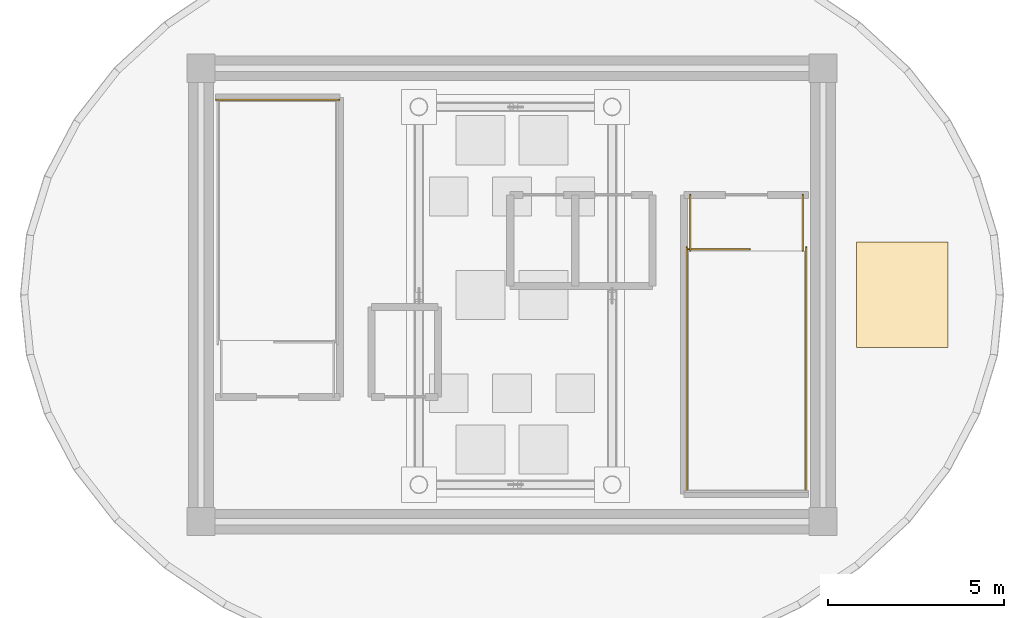
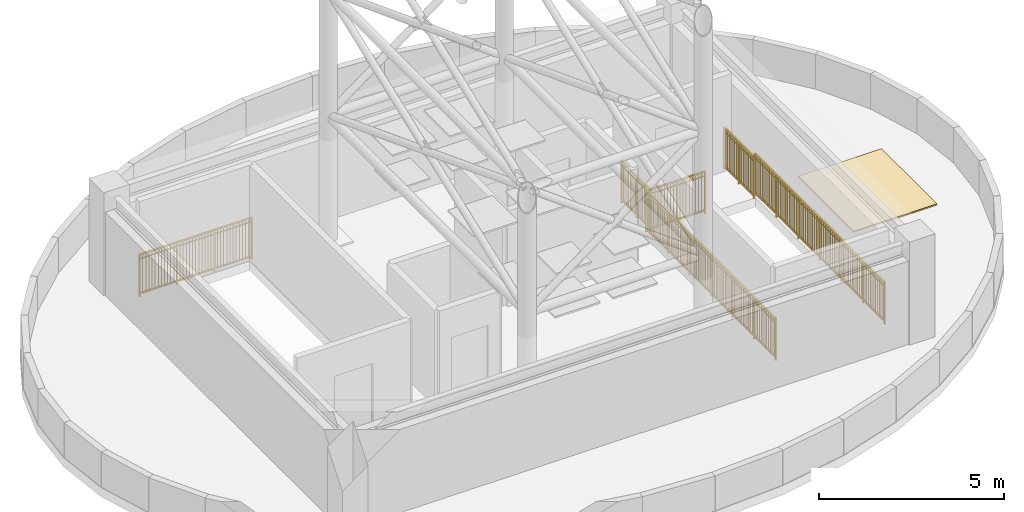
# One storey, part 6 of 6: 6 railings, 1 covering.
"""IFC4 building model written with IfcOpenShell, lengths in metres."""

from ifc_helpers import new_model, si_unit, direction, frame, origin, origin_2d, place, context, subcontext, project, spatial, polyline, rectangle, outline, extrude, source, transform, mapped, material, layer, layer_set, type_object, element, save


model = new_model("IFC4")

# Units and contexts
model_context = context("Model", 3, precision=1e-05, world=origin(), true_north=direction((0.0, 1.0)))
body_context = subcontext(model_context, "Body", "Model", "MODEL_VIEW")
ifc_project = project(units=[si_unit("LENGTHUNIT", "METRE"), si_unit("AREAUNIT", "SQUARE_METRE"), si_unit("VOLUMEUNIT", "CUBIC_METRE"), si_unit("PLANEANGLEUNIT", "RADIAN"), si_unit("MASSUNIT", "GRAM", prefix="KILO")], contexts=[model_context])

# Site, building, storey
site_placement = place(None, origin())
site = spatial("IfcSite", under=ifc_project, at=site_placement, CompositionType="ELEMENT")
building_placement = place(site_placement, origin())
building = spatial("IfcBuilding", under=site, at=building_placement, Name="Linh Dai School and Residence Tower", CompositionType="ELEMENT")
storey_placement = place(building_placement, frame((0.0, 0.0, 373.199951171875)))
storey = spatial("IfcBuildingStorey", under=building, at=storey_placement, Name="RF", CompositionType="ELEMENT", Elevation=373.199951171875)

# Covering
ifc_material_1 = material(Name="TPO Insulated Waterproofing Roof Membrane", Category="masonry")
ifc_layer = layer(ifc_material_1, 0.044921875)
ifc_layer_set = layer_set([ifc_layer], Name="TPO Insulated Waterproofing Roof Membrane")
covering_type = type_object("IfcCoveringType", Name="COV-ROOF-MEM-45", PredefinedType="ROOFING", material=ifc_layer_set)
covering_placement = place(storey_placement, origin())
element("IfcCovering", 1, at=covering_placement, inside=storey, type_object=covering_type, Name="RF Waterproofing Roof Membrane Zone", PredefinedType="ROOFING", context=body_context, shape_type="SweptSolid", body=[
    extrude(outline(polyline([(45.800048828125, 25.5), (48.39990234375, 25.5), (48.39990234375, 28.5), (45.800048828125, 28.5), (45.800048828125, 25.5)])), origin(), (0.0, 0.0, 1.0), 0.045166015625),
])

# Railings
ifc_material_2 = material(Name="Structural Steel S355JR", Category="steel")
railing_type = type_object("IfcRailingType", Name="RL-ST-GUARD-1400", PredefinedType="GUARDRAIL", material=ifc_material_2)
shared_shape_1 = source(origin(), body_context, "Body", "SweptSolid", [
    extrude(rectangle(XDim=0.048095703125, YDim=0.048095703125, at=origin_2d()), frame((0.0, 0.0, 1.3759765625), z_axis=(-1.0, 0.0, 0.0), x_axis=(0.0, -1.0, 0.0)), (0.0, 0.0, 1.0), 3.5),
    extrude(rectangle(XDim=0.048095703125, YDim=0.048095703125, at=origin_2d()), frame((0.0, 0.0, 0.10009765625), z_axis=(-1.0, 0.0, 0.0), x_axis=(0.0, -1.0, 0.0)), (0.0, 0.0, 1.0), 3.5),
    extrude(rectangle(XDim=0.030029296875, YDim=0.030029296875, at=origin_2d()), frame((0.0, 0.0, 1.239990234375), z_axis=(-1.0, 0.0, 0.0), x_axis=(0.0, -1.0, 0.0)), (0.0, 0.0, 1.0), 3.5),
    extrude(rectangle(XDim=0.02001953125, YDim=0.02001953125, at=origin_2d()), frame((-0.09716796875, 0.0, 0.10009765625)), (0.0, 0.0, 1.0), 1.251708984375),
    extrude(rectangle(XDim=0.02001953125, YDim=0.02001953125, at=origin_2d()), frame((-0.1943359375, 0.0, 0.10009765625)), (0.0, 0.0, 1.0), 1.251708984375),
    extrude(rectangle(XDim=0.02001953125, YDim=0.02001953125, at=origin_2d()), frame((-0.291748046875, 0.0, 0.10009765625)), (0.0, 0.0, 1.0), 1.251708984375),
    extrude(rectangle(XDim=0.02001953125, YDim=0.02001953125, at=origin_2d()), frame((-0.388916015625, 0.0, 0.10009765625)), (0.0, 0.0, 1.0), 1.251708984375),
    extrude(rectangle(XDim=0.02001953125, YDim=0.02001953125, at=origin_2d()), frame((-0.486083984375, 0.0, 0.10009765625)), (0.0, 0.0, 1.0), 1.251708984375),
    extrude(rectangle(XDim=0.02001953125, YDim=0.02001953125, at=origin_2d()), frame((-0.583251953125, 0.0, 0.10009765625)), (0.0, 0.0, 1.0), 1.251708984375),
    extrude(rectangle(XDim=0.02001953125, YDim=0.02001953125, at=origin_2d()), frame((-0.6806640625, 0.0, 0.10009765625)), (0.0, 0.0, 1.0), 1.251708984375),
    extrude(rectangle(XDim=0.02001953125, YDim=0.02001953125, at=origin_2d()), frame((-0.77783203125, 0.0, 0.10009765625)), (0.0, 0.0, 1.0), 1.251708984375),
    extrude(rectangle(XDim=0.02001953125, YDim=0.02001953125, at=origin_2d()), frame((-0.875, 0.0, 0.10009765625)), (0.0, 0.0, 1.0), 1.251708984375),
    extrude(rectangle(XDim=0.02001953125, YDim=0.02001953125, at=origin_2d()), frame((-0.97216796875, 0.0, 0.10009765625)), (0.0, 0.0, 1.0), 1.251708984375),
    extrude(rectangle(XDim=0.02001953125, YDim=0.02001953125, at=origin_2d()), frame((-1.0693359375, 0.0, 0.10009765625)), (0.0, 0.0, 1.0), 1.251708984375),
    extrude(rectangle(XDim=0.02001953125, YDim=0.02001953125, at=origin_2d()), frame((-1.263916015625, 0.0, 0.10009765625)), (0.0, 0.0, 1.0), 1.251708984375),
    extrude(rectangle(XDim=0.02001953125, YDim=0.02001953125, at=origin_2d()), frame((-1.361083984375, 0.0, 0.10009765625)), (0.0, 0.0, 1.0), 1.251708984375),
    extrude(rectangle(XDim=0.02001953125, YDim=0.02001953125, at=origin_2d()), frame((-1.458251953125, 0.0, 0.10009765625)), (0.0, 0.0, 1.0), 1.251708984375),
    extrude(rectangle(XDim=0.02001953125, YDim=0.02001953125, at=origin_2d()), frame((-1.5556640625, 0.0, 0.10009765625)), (0.0, 0.0, 1.0), 1.251708984375),
    extrude(rectangle(XDim=0.02001953125, YDim=0.02001953125, at=origin_2d()), frame((-1.65283203125, 0.0, 0.10009765625)), (0.0, 0.0, 1.0), 1.251708984375),
    extrude(rectangle(XDim=0.02001953125, YDim=0.02001953125, at=origin_2d()), frame((-1.75, 0.0, 0.10009765625)), (0.0, 0.0, 1.0), 1.251708984375),
    extrude(rectangle(XDim=0.02001953125, YDim=0.02001953125, at=origin_2d()), frame((-1.84716796875, 0.0, 0.10009765625)), (0.0, 0.0, 1.0), 1.251708984375),
    extrude(rectangle(XDim=0.02001953125, YDim=0.02001953125, at=origin_2d()), frame((-1.9443359375, 0.0, 0.10009765625)), (0.0, 0.0, 1.0), 1.251708984375),
    extrude(rectangle(XDim=0.02001953125, YDim=0.02001953125, at=origin_2d()), frame((-2.041748046875, 0.0, 0.10009765625)), (0.0, 0.0, 1.0), 1.251708984375),
    extrude(rectangle(XDim=0.02001953125, YDim=0.02001953125, at=origin_2d()), frame((-2.138916015625, 0.0, 0.10009765625)), (0.0, 0.0, 1.0), 1.251708984375),
    extrude(rectangle(XDim=0.02001953125, YDim=0.02001953125, at=origin_2d()), frame((-2.236083984375, 0.0, 0.10009765625)), (0.0, 0.0, 1.0), 1.251708984375),
    extrude(rectangle(XDim=0.02001953125, YDim=0.02001953125, at=origin_2d()), frame((-2.4306640625, 0.0, 0.10009765625)), (0.0, 0.0, 1.0), 1.251708984375),
    extrude(rectangle(XDim=0.02001953125, YDim=0.02001953125, at=origin_2d()), frame((-2.52783203125, 0.0, 0.10009765625)), (0.0, 0.0, 1.0), 1.251708984375),
    extrude(rectangle(XDim=0.02001953125, YDim=0.02001953125, at=origin_2d()), frame((-2.625, 0.0, 0.10009765625)), (0.0, 0.0, 1.0), 1.251708984375),
    extrude(rectangle(XDim=0.02001953125, YDim=0.02001953125, at=origin_2d()), frame((-2.72216796875, 0.0, 0.10009765625)), (0.0, 0.0, 1.0), 1.251708984375),
    extrude(rectangle(XDim=0.02001953125, YDim=0.02001953125, at=origin_2d()), frame((-2.8193359375, 0.0, 0.10009765625)), (0.0, 0.0, 1.0), 1.251708984375),
    extrude(rectangle(XDim=0.02001953125, YDim=0.02001953125, at=origin_2d()), frame((-2.916748046875, 0.0, 0.10009765625)), (0.0, 0.0, 1.0), 1.251708984375),
    extrude(rectangle(XDim=0.02001953125, YDim=0.02001953125, at=origin_2d()), frame((-3.013916015625, 0.0, 0.10009765625)), (0.0, 0.0, 1.0), 1.251708984375),
    extrude(rectangle(XDim=0.02001953125, YDim=0.02001953125, at=origin_2d()), frame((-3.111083984375, 0.0, 0.10009765625)), (0.0, 0.0, 1.0), 1.251708984375),
    extrude(rectangle(XDim=0.02001953125, YDim=0.02001953125, at=origin_2d()), frame((-3.208251953125, 0.0, 0.10009765625)), (0.0, 0.0, 1.0), 1.251708984375),
    extrude(rectangle(XDim=0.02001953125, YDim=0.02001953125, at=origin_2d()), frame((-3.3056640625, 0.0, 0.10009765625)), (0.0, 0.0, 1.0), 1.251708984375),
    extrude(rectangle(XDim=0.02001953125, YDim=0.02001953125, at=origin_2d()), frame((-3.40283203125, 0.0, 0.10009765625)), (0.0, 0.0, 1.0), 1.251708984375),
    extrude(rectangle(XDim=0.0419921875, YDim=0.0419921875, at=origin_2d()), origin(), (0.0, 0.0, 1.0), 1.3759765625),
    extrude(rectangle(XDim=0.0419921875, YDim=0.0419921875, at=origin_2d()), frame((-1.166748046875, 0.0, 0.0)), (0.0, 0.0, 1.0), 1.3759765625),
    extrude(rectangle(XDim=0.0419921875, YDim=0.0419921875, at=origin_2d()), frame((-2.333251953125, 0.0, 0.0)), (0.0, 0.0, 1.0), 1.3759765625),
    extrude(rectangle(XDim=0.0419921875, YDim=0.0419921875, at=origin_2d()), frame((-3.5, 0.0, 0.0)), (0.0, 0.0, 1.0), 1.3759765625),
])
railing_1_placement = place(storey_placement, frame((31.080078125, 32.550048828125, 0.0)))
element("IfcRailing", 2, at=railing_1_placement, inside=storey, type_object=railing_type, Name="RF ST1 top well guard 4", PredefinedType="GUARDRAIL", context=body_context, shape_type="MappedRepresentation", body=[
    mapped(shared_shape_1, transform((0.0, 0.0, 0.0), x_axis=(1.0, 0.0, 0.0), y_axis=(0.0, 1.0, 0.0), z_axis=(0.0, 0.0, 1.0), scale=1.0)),
])
shared_shape_2 = source(origin(), body_context, "Body", "SweptSolid", [
    extrude(rectangle(XDim=0.048095703125, YDim=0.048095703125, at=origin_2d()), frame((0.0, 0.0, 1.3759765625), z_axis=(0.0, -1.0, 0.0), x_axis=(1.0, 0.0, 0.0)), (0.0, 0.0, 1.0), 1.60009765625),
    extrude(rectangle(XDim=0.048095703125, YDim=0.048095703125, at=origin_2d()), frame((0.0, 0.0, 0.10009765625), z_axis=(0.0, -1.0, 0.0), x_axis=(1.0, 0.0, 0.0)), (0.0, 0.0, 1.0), 1.60009765625),
    extrude(rectangle(XDim=0.030029296875, YDim=0.030029296875, at=origin_2d()), frame((0.0, 0.0, 1.239990234375), z_axis=(0.0, -1.0, 0.0), x_axis=(1.0, 0.0, 0.0)), (0.0, 0.0, 1.0), 1.60009765625),
    extrude(rectangle(XDim=0.02001953125, YDim=0.02001953125, at=origin_2d()), frame((0.0, -0.09423828125, 0.10009765625)), (0.0, 0.0, 1.0), 1.251708984375),
    extrude(rectangle(XDim=0.02001953125, YDim=0.02001953125, at=origin_2d()), frame((0.0, -0.188232421875, 0.10009765625)), (0.0, 0.0, 1.0), 1.251708984375),
    extrude(rectangle(XDim=0.02001953125, YDim=0.02001953125, at=origin_2d()), frame((0.0, -0.282470703125, 0.10009765625)), (0.0, 0.0, 1.0), 1.251708984375),
    extrude(rectangle(XDim=0.02001953125, YDim=0.02001953125, at=origin_2d()), frame((0.0, -0.37646484375, 0.10009765625)), (0.0, 0.0, 1.0), 1.251708984375),
    extrude(rectangle(XDim=0.02001953125, YDim=0.02001953125, at=origin_2d()), frame((0.0, -0.470703125, 0.10009765625)), (0.0, 0.0, 1.0), 1.251708984375),
    extrude(rectangle(XDim=0.02001953125, YDim=0.02001953125, at=origin_2d()), frame((0.0, -0.564697265625, 0.10009765625)), (0.0, 0.0, 1.0), 1.251708984375),
    extrude(rectangle(XDim=0.02001953125, YDim=0.02001953125, at=origin_2d()), frame((0.0, -0.658935546875, 0.10009765625)), (0.0, 0.0, 1.0), 1.251708984375),
    extrude(rectangle(XDim=0.02001953125, YDim=0.02001953125, at=origin_2d()), frame((0.0, -0.7529296875, 0.10009765625)), (0.0, 0.0, 1.0), 1.251708984375),
    extrude(rectangle(XDim=0.02001953125, YDim=0.02001953125, at=origin_2d()), frame((0.0, -0.84716796875, 0.10009765625)), (0.0, 0.0, 1.0), 1.251708984375),
    extrude(rectangle(XDim=0.02001953125, YDim=0.02001953125, at=origin_2d()), frame((0.0, -0.941162109375, 0.10009765625)), (0.0, 0.0, 1.0), 1.251708984375),
    extrude(rectangle(XDim=0.02001953125, YDim=0.02001953125, at=origin_2d()), frame((0.0, -1.035400390625, 0.10009765625)), (0.0, 0.0, 1.0), 1.251708984375),
    extrude(rectangle(XDim=0.02001953125, YDim=0.02001953125, at=origin_2d()), frame((0.0, -1.12939453125, 0.10009765625)), (0.0, 0.0, 1.0), 1.251708984375),
    extrude(rectangle(XDim=0.02001953125, YDim=0.02001953125, at=origin_2d()), frame((0.0, -1.2236328125, 0.10009765625)), (0.0, 0.0, 1.0), 1.251708984375),
    extrude(rectangle(XDim=0.02001953125, YDim=0.02001953125, at=origin_2d()), frame((0.0, -1.317626953125, 0.10009765625)), (0.0, 0.0, 1.0), 1.251708984375),
    extrude(rectangle(XDim=0.02001953125, YDim=0.02001953125, at=origin_2d()), frame((0.0, -1.411865234375, 0.10009765625)), (0.0, 0.0, 1.0), 1.251708984375),
    extrude(rectangle(XDim=0.02001953125, YDim=0.02001953125, at=origin_2d()), frame((0.0, -1.505859375, 0.10009765625)), (0.0, 0.0, 1.0), 1.251708984375),
    extrude(rectangle(XDim=0.0419921875, YDim=0.0419921875, at=origin_2d()), origin(), (0.0, 0.0, 1.0), 1.3759765625),
    extrude(rectangle(XDim=0.0419921875, YDim=0.0419921875, at=origin_2d()), frame((0.0, -0.800048828125, 0.0)), (0.0, 0.0, 1.0), 1.3759765625),
    extrude(rectangle(XDim=0.0419921875, YDim=0.0419921875, at=origin_2d()), frame((0.0, -1.60009765625, 0.0)), (0.0, 0.0, 1.0), 1.3759765625),
])
for number, where, name in (
    (3, (41.070068359375, 29.85009765625, 0.0), "RF ST2 top well guard 5"),
    (4, (44.27001953125, 29.85009765625, 0.0), "RF ST2 top well guard 6"),
):
    element("IfcRailing", number, at=place(storey_placement, frame(where)), inside=storey, type_object=railing_type, Name=name, PredefinedType="GUARDRAIL", context=body_context, shape_type="MappedRepresentation", body=[
        mapped(shared_shape_2, transform((0.0, 0.0, 0.0), x_axis=(1.0, 0.0, 0.0), y_axis=(0.0, 1.0, 0.0), z_axis=(0.0, 0.0, 1.0), scale=1.0)),
    ])
shared_shape_3 = source(origin(), body_context, "Body", "SweptSolid", [
    extrude(rectangle(XDim=0.048095703125, YDim=0.048095703125, at=origin_2d()), frame((0.0, 0.0, 1.3759765625), z_axis=(0.0, -1.0, 0.0), x_axis=(1.0, 0.0, 0.0)), (0.0, 0.0, 1.0), 7.0),
    extrude(rectangle(XDim=0.048095703125, YDim=0.048095703125, at=origin_2d()), frame((0.0, 0.0, 0.10009765625), z_axis=(0.0, -1.0, 0.0), x_axis=(1.0, 0.0, 0.0)), (0.0, 0.0, 1.0), 7.0),
    extrude(rectangle(XDim=0.030029296875, YDim=0.030029296875, at=origin_2d()), frame((0.0, 0.0, 1.239990234375), z_axis=(0.0, -1.0, 0.0), x_axis=(1.0, 0.0, 0.0)), (0.0, 0.0, 1.0), 7.0),
    extrude(rectangle(XDim=0.02001953125, YDim=0.02001953125, at=origin_2d()), frame((0.0, -0.09716796875, 0.10009765625)), (0.0, 0.0, 1.0), 1.251708984375),
    extrude(rectangle(XDim=0.02001953125, YDim=0.02001953125, at=origin_2d()), frame((0.0, -0.1943359375, 0.10009765625)), (0.0, 0.0, 1.0), 1.251708984375),
    extrude(rectangle(XDim=0.02001953125, YDim=0.02001953125, at=origin_2d()), frame((0.0, -0.291748046875, 0.10009765625)), (0.0, 0.0, 1.0), 1.251708984375),
    extrude(rectangle(XDim=0.02001953125, YDim=0.02001953125, at=origin_2d()), frame((0.0, -0.388916015625, 0.10009765625)), (0.0, 0.0, 1.0), 1.251708984375),
    extrude(rectangle(XDim=0.02001953125, YDim=0.02001953125, at=origin_2d()), frame((0.0, -0.486083984375, 0.10009765625)), (0.0, 0.0, 1.0), 1.251708984375),
    extrude(rectangle(XDim=0.02001953125, YDim=0.02001953125, at=origin_2d()), frame((0.0, -0.583251953125, 0.10009765625)), (0.0, 0.0, 1.0), 1.251708984375),
    extrude(rectangle(XDim=0.02001953125, YDim=0.02001953125, at=origin_2d()), frame((0.0, -0.6806640625, 0.10009765625)), (0.0, 0.0, 1.0), 1.251708984375),
    extrude(rectangle(XDim=0.02001953125, YDim=0.02001953125, at=origin_2d()), frame((0.0, -0.77783203125, 0.10009765625)), (0.0, 0.0, 1.0), 1.251708984375),
    extrude(rectangle(XDim=0.02001953125, YDim=0.02001953125, at=origin_2d()), frame((0.0, -0.875, 0.10009765625)), (0.0, 0.0, 1.0), 1.251708984375),
    extrude(rectangle(XDim=0.02001953125, YDim=0.02001953125, at=origin_2d()), frame((0.0, -0.97216796875, 0.10009765625)), (0.0, 0.0, 1.0), 1.251708984375),
    extrude(rectangle(XDim=0.02001953125, YDim=0.02001953125, at=origin_2d()), frame((0.0, -1.0693359375, 0.10009765625)), (0.0, 0.0, 1.0), 1.251708984375),
    extrude(rectangle(XDim=0.02001953125, YDim=0.02001953125, at=origin_2d()), frame((0.0, -1.263916015625, 0.10009765625)), (0.0, 0.0, 1.0), 1.251708984375),
    extrude(rectangle(XDim=0.02001953125, YDim=0.02001953125, at=origin_2d()), frame((0.0, -1.361083984375, 0.10009765625)), (0.0, 0.0, 1.0), 1.251708984375),
    extrude(rectangle(XDim=0.02001953125, YDim=0.02001953125, at=origin_2d()), frame((0.0, -1.458251953125, 0.10009765625)), (0.0, 0.0, 1.0), 1.251708984375),
    extrude(rectangle(XDim=0.02001953125, YDim=0.02001953125, at=origin_2d()), frame((0.0, -1.5556640625, 0.10009765625)), (0.0, 0.0, 1.0), 1.251708984375),
    extrude(rectangle(XDim=0.02001953125, YDim=0.02001953125, at=origin_2d()), frame((0.0, -1.65283203125, 0.10009765625)), (0.0, 0.0, 1.0), 1.251708984375),
    extrude(rectangle(XDim=0.02001953125, YDim=0.02001953125, at=origin_2d()), frame((0.0, -1.75, 0.10009765625)), (0.0, 0.0, 1.0), 1.251708984375),
    extrude(rectangle(XDim=0.02001953125, YDim=0.02001953125, at=origin_2d()), frame((0.0, -1.84716796875, 0.10009765625)), (0.0, 0.0, 1.0), 1.251708984375),
    extrude(rectangle(XDim=0.02001953125, YDim=0.02001953125, at=origin_2d()), frame((0.0, -1.9443359375, 0.10009765625)), (0.0, 0.0, 1.0), 1.251708984375),
    extrude(rectangle(XDim=0.02001953125, YDim=0.02001953125, at=origin_2d()), frame((0.0, -2.041748046875, 0.10009765625)), (0.0, 0.0, 1.0), 1.251708984375),
    extrude(rectangle(XDim=0.02001953125, YDim=0.02001953125, at=origin_2d()), frame((0.0, -2.138916015625, 0.10009765625)), (0.0, 0.0, 1.0), 1.251708984375),
    extrude(rectangle(XDim=0.02001953125, YDim=0.02001953125, at=origin_2d()), frame((0.0, -2.236083984375, 0.10009765625)), (0.0, 0.0, 1.0), 1.251708984375),
    extrude(rectangle(XDim=0.02001953125, YDim=0.02001953125, at=origin_2d()), frame((0.0, -2.4306640625, 0.10009765625)), (0.0, 0.0, 1.0), 1.251708984375),
    extrude(rectangle(XDim=0.02001953125, YDim=0.02001953125, at=origin_2d()), frame((0.0, -2.52783203125, 0.10009765625)), (0.0, 0.0, 1.0), 1.251708984375),
    extrude(rectangle(XDim=0.02001953125, YDim=0.02001953125, at=origin_2d()), frame((0.0, -2.625, 0.10009765625)), (0.0, 0.0, 1.0), 1.251708984375),
    extrude(rectangle(XDim=0.02001953125, YDim=0.02001953125, at=origin_2d()), frame((0.0, -2.72216796875, 0.10009765625)), (0.0, 0.0, 1.0), 1.251708984375),
    extrude(rectangle(XDim=0.02001953125, YDim=0.02001953125, at=origin_2d()), frame((0.0, -2.8193359375, 0.10009765625)), (0.0, 0.0, 1.0), 1.251708984375),
    extrude(rectangle(XDim=0.02001953125, YDim=0.02001953125, at=origin_2d()), frame((0.0, -2.916748046875, 0.10009765625)), (0.0, 0.0, 1.0), 1.251708984375),
    extrude(rectangle(XDim=0.02001953125, YDim=0.02001953125, at=origin_2d()), frame((0.0, -3.013916015625, 0.10009765625)), (0.0, 0.0, 1.0), 1.251708984375),
    extrude(rectangle(XDim=0.02001953125, YDim=0.02001953125, at=origin_2d()), frame((0.0, -3.111083984375, 0.10009765625)), (0.0, 0.0, 1.0), 1.251708984375),
    extrude(rectangle(XDim=0.02001953125, YDim=0.02001953125, at=origin_2d()), frame((0.0, -3.208251953125, 0.10009765625)), (0.0, 0.0, 1.0), 1.251708984375),
    extrude(rectangle(XDim=0.02001953125, YDim=0.02001953125, at=origin_2d()), frame((0.0, -3.3056640625, 0.10009765625)), (0.0, 0.0, 1.0), 1.251708984375),
    extrude(rectangle(XDim=0.02001953125, YDim=0.02001953125, at=origin_2d()), frame((0.0, -3.40283203125, 0.10009765625)), (0.0, 0.0, 1.0), 1.251708984375),
    extrude(rectangle(XDim=0.02001953125, YDim=0.02001953125, at=origin_2d()), frame((0.0, -3.59716796875, 0.10009765625)), (0.0, 0.0, 1.0), 1.251708984375),
    extrude(rectangle(XDim=0.02001953125, YDim=0.02001953125, at=origin_2d()), frame((0.0, -3.6943359375, 0.10009765625)), (0.0, 0.0, 1.0), 1.251708984375),
    extrude(rectangle(XDim=0.02001953125, YDim=0.02001953125, at=origin_2d()), frame((0.0, -3.791748046875, 0.10009765625)), (0.0, 0.0, 1.0), 1.251708984375),
    extrude(rectangle(XDim=0.02001953125, YDim=0.02001953125, at=origin_2d()), frame((0.0, -3.888916015625, 0.10009765625)), (0.0, 0.0, 1.0), 1.251708984375),
    extrude(rectangle(XDim=0.02001953125, YDim=0.02001953125, at=origin_2d()), frame((0.0, -3.986083984375, 0.10009765625)), (0.0, 0.0, 1.0), 1.251708984375),
    extrude(rectangle(XDim=0.02001953125, YDim=0.02001953125, at=origin_2d()), frame((0.0, -4.083251953125, 0.10009765625)), (0.0, 0.0, 1.0), 1.251708984375),
    extrude(rectangle(XDim=0.02001953125, YDim=0.02001953125, at=origin_2d()), frame((0.0, -4.1806640625, 0.10009765625)), (0.0, 0.0, 1.0), 1.251708984375),
    extrude(rectangle(XDim=0.02001953125, YDim=0.02001953125, at=origin_2d()), frame((0.0, -4.27783203125, 0.10009765625)), (0.0, 0.0, 1.0), 1.251708984375),
    extrude(rectangle(XDim=0.02001953125, YDim=0.02001953125, at=origin_2d()), frame((0.0, -4.375, 0.10009765625)), (0.0, 0.0, 1.0), 1.251708984375),
    extrude(rectangle(XDim=0.02001953125, YDim=0.02001953125, at=origin_2d()), frame((0.0, -4.47216796875, 0.10009765625)), (0.0, 0.0, 1.0), 1.251708984375),
    extrude(rectangle(XDim=0.02001953125, YDim=0.02001953125, at=origin_2d()), frame((0.0, -4.5693359375, 0.10009765625)), (0.0, 0.0, 1.0), 1.251708984375),
    extrude(rectangle(XDim=0.02001953125, YDim=0.02001953125, at=origin_2d()), frame((0.0, -4.763916015625, 0.10009765625)), (0.0, 0.0, 1.0), 1.251708984375),
    extrude(rectangle(XDim=0.02001953125, YDim=0.02001953125, at=origin_2d()), frame((0.0, -4.861083984375, 0.10009765625)), (0.0, 0.0, 1.0), 1.251708984375),
    extrude(rectangle(XDim=0.02001953125, YDim=0.02001953125, at=origin_2d()), frame((0.0, -4.958251953125, 0.10009765625)), (0.0, 0.0, 1.0), 1.251708984375),
    extrude(rectangle(XDim=0.02001953125, YDim=0.02001953125, at=origin_2d()), frame((0.0, -5.0556640625, 0.10009765625)), (0.0, 0.0, 1.0), 1.251708984375),
    extrude(rectangle(XDim=0.02001953125, YDim=0.02001953125, at=origin_2d()), frame((0.0, -5.15283203125, 0.10009765625)), (0.0, 0.0, 1.0), 1.251708984375),
    extrude(rectangle(XDim=0.02001953125, YDim=0.02001953125, at=origin_2d()), frame((0.0, -5.25, 0.10009765625)), (0.0, 0.0, 1.0), 1.251708984375),
    extrude(rectangle(XDim=0.02001953125, YDim=0.02001953125, at=origin_2d()), frame((0.0, -5.34716796875, 0.10009765625)), (0.0, 0.0, 1.0), 1.251708984375),
    extrude(rectangle(XDim=0.02001953125, YDim=0.02001953125, at=origin_2d()), frame((0.0, -5.4443359375, 0.10009765625)), (0.0, 0.0, 1.0), 1.251708984375),
    extrude(rectangle(XDim=0.02001953125, YDim=0.02001953125, at=origin_2d()), frame((0.0, -5.541748046875, 0.10009765625)), (0.0, 0.0, 1.0), 1.251708984375),
    extrude(rectangle(XDim=0.02001953125, YDim=0.02001953125, at=origin_2d()), frame((0.0, -5.638916015625, 0.10009765625)), (0.0, 0.0, 1.0), 1.251708984375),
    extrude(rectangle(XDim=0.02001953125, YDim=0.02001953125, at=origin_2d()), frame((0.0, -5.736083984375, 0.10009765625)), (0.0, 0.0, 1.0), 1.251708984375),
    extrude(rectangle(XDim=0.02001953125, YDim=0.02001953125, at=origin_2d()), frame((0.0, -5.9306640625, 0.10009765625)), (0.0, 0.0, 1.0), 1.251708984375),
    extrude(rectangle(XDim=0.02001953125, YDim=0.02001953125, at=origin_2d()), frame((0.0, -6.02783203125, 0.10009765625)), (0.0, 0.0, 1.0), 1.251708984375),
    extrude(rectangle(XDim=0.02001953125, YDim=0.02001953125, at=origin_2d()), frame((0.0, -6.125, 0.10009765625)), (0.0, 0.0, 1.0), 1.251708984375),
    extrude(rectangle(XDim=0.02001953125, YDim=0.02001953125, at=origin_2d()), frame((0.0, -6.22216796875, 0.10009765625)), (0.0, 0.0, 1.0), 1.251708984375),
    extrude(rectangle(XDim=0.02001953125, YDim=0.02001953125, at=origin_2d()), frame((0.0, -6.3193359375, 0.10009765625)), (0.0, 0.0, 1.0), 1.251708984375),
    extrude(rectangle(XDim=0.02001953125, YDim=0.02001953125, at=origin_2d()), frame((0.0, -6.416748046875, 0.10009765625)), (0.0, 0.0, 1.0), 1.251708984375),
    extrude(rectangle(XDim=0.02001953125, YDim=0.02001953125, at=origin_2d()), frame((0.0, -6.513916015625, 0.10009765625)), (0.0, 0.0, 1.0), 1.251708984375),
    extrude(rectangle(XDim=0.02001953125, YDim=0.02001953125, at=origin_2d()), frame((0.0, -6.611083984375, 0.10009765625)), (0.0, 0.0, 1.0), 1.251708984375),
    extrude(rectangle(XDim=0.02001953125, YDim=0.02001953125, at=origin_2d()), frame((0.0, -6.708251953125, 0.10009765625)), (0.0, 0.0, 1.0), 1.251708984375),
    extrude(rectangle(XDim=0.02001953125, YDim=0.02001953125, at=origin_2d()), frame((0.0, -6.8056640625, 0.10009765625)), (0.0, 0.0, 1.0), 1.251708984375),
    extrude(rectangle(XDim=0.02001953125, YDim=0.02001953125, at=origin_2d()), frame((0.0, -6.90283203125, 0.10009765625)), (0.0, 0.0, 1.0), 1.251708984375),
    extrude(rectangle(XDim=0.0419921875, YDim=0.0419921875, at=origin_2d()), origin(), (0.0, 0.0, 1.0), 1.3759765625),
    extrude(rectangle(XDim=0.0419921875, YDim=0.0419921875, at=origin_2d()), frame((0.0, -1.166748046875, 0.0)), (0.0, 0.0, 1.0), 1.3759765625),
    extrude(rectangle(XDim=0.0419921875, YDim=0.0419921875, at=origin_2d()), frame((0.0, -2.333251953125, 0.0)), (0.0, 0.0, 1.0), 1.3759765625),
    extrude(rectangle(XDim=0.0419921875, YDim=0.0419921875, at=origin_2d()), frame((0.0, -3.5, 0.0)), (0.0, 0.0, 1.0), 1.3759765625),
    extrude(rectangle(XDim=0.0419921875, YDim=0.0419921875, at=origin_2d()), frame((0.0, -4.666748046875, 0.0)), (0.0, 0.0, 1.0), 1.3759765625),
    extrude(rectangle(XDim=0.0419921875, YDim=0.0419921875, at=origin_2d()), frame((0.0, -5.833251953125, 0.0)), (0.0, 0.0, 1.0), 1.3759765625),
    extrude(rectangle(XDim=0.0419921875, YDim=0.0419921875, at=origin_2d()), frame((0.0, -7.0, 0.0)), (0.0, 0.0, 1.0), 1.3759765625),
])
for number, where, name in (
    (5, (40.969970703125, 28.35009765625, 0.0), "RF ST2 top well guard 2"),
    (6, (44.3701171875, 28.35009765625, 0.0), "RF ST2 top well guard 3"),
):
    element("IfcRailing", number, at=place(storey_placement, frame(where)), inside=storey, type_object=railing_type, Name=name, PredefinedType="GUARDRAIL", context=body_context, shape_type="MappedRepresentation", body=[
        mapped(shared_shape_3, transform((0.0, 0.0, 0.0), x_axis=(1.0, 0.0, 0.0), y_axis=(0.0, 1.0, 0.0), z_axis=(0.0, 0.0, 1.0), scale=1.0)),
    ])
shared_shape_4 = source(origin(), body_context, "Body", "SweptSolid", [
    extrude(rectangle(XDim=0.048095703125, YDim=0.048095703125, at=origin_2d()), frame((0.0, 0.0, 1.3759765625), z_axis=(1.0, 0.0, 0.0), x_axis=(0.0, 1.0, 0.0)), (0.0, 0.0, 1.0), 1.75),
    extrude(rectangle(XDim=0.048095703125, YDim=0.048095703125, at=origin_2d()), frame((0.0, 0.0, 0.10009765625), z_axis=(1.0, 0.0, 0.0), x_axis=(0.0, 1.0, 0.0)), (0.0, 0.0, 1.0), 1.75),
    extrude(rectangle(XDim=0.030029296875, YDim=0.030029296875, at=origin_2d()), frame((0.0, 0.0, 1.239990234375), z_axis=(1.0, 0.0, 0.0), x_axis=(0.0, 1.0, 0.0)), (0.0, 0.0, 1.0), 1.75),
    extrude(rectangle(XDim=0.02001953125, YDim=0.02001953125, at=origin_2d()), frame((0.09716796875, 0.0, 0.10009765625)), (0.0, 0.0, 1.0), 1.251708984375),
    extrude(rectangle(XDim=0.02001953125, YDim=0.02001953125, at=origin_2d()), frame((0.1943359375, 0.0, 0.10009765625)), (0.0, 0.0, 1.0), 1.251708984375),
    extrude(rectangle(XDim=0.02001953125, YDim=0.02001953125, at=origin_2d()), frame((0.291748046875, 0.0, 0.10009765625)), (0.0, 0.0, 1.0), 1.251708984375),
    extrude(rectangle(XDim=0.02001953125, YDim=0.02001953125, at=origin_2d()), frame((0.388916015625, 0.0, 0.10009765625)), (0.0, 0.0, 1.0), 1.251708984375),
    extrude(rectangle(XDim=0.02001953125, YDim=0.02001953125, at=origin_2d()), frame((0.486083984375, 0.0, 0.10009765625)), (0.0, 0.0, 1.0), 1.251708984375),
    extrude(rectangle(XDim=0.02001953125, YDim=0.02001953125, at=origin_2d()), frame((0.583251953125, 0.0, 0.10009765625)), (0.0, 0.0, 1.0), 1.251708984375),
    extrude(rectangle(XDim=0.02001953125, YDim=0.02001953125, at=origin_2d()), frame((0.6806640625, 0.0, 0.10009765625)), (0.0, 0.0, 1.0), 1.251708984375),
    extrude(rectangle(XDim=0.02001953125, YDim=0.02001953125, at=origin_2d()), frame((0.77783203125, 0.0, 0.10009765625)), (0.0, 0.0, 1.0), 1.251708984375),
    extrude(rectangle(XDim=0.02001953125, YDim=0.02001953125, at=origin_2d()), frame((0.97216796875, 0.0, 0.10009765625)), (0.0, 0.0, 1.0), 1.251708984375),
    extrude(rectangle(XDim=0.02001953125, YDim=0.02001953125, at=origin_2d()), frame((1.0693359375, 0.0, 0.10009765625)), (0.0, 0.0, 1.0), 1.251708984375),
    extrude(rectangle(XDim=0.02001953125, YDim=0.02001953125, at=origin_2d()), frame((1.166748046875, 0.0, 0.10009765625)), (0.0, 0.0, 1.0), 1.251708984375),
    extrude(rectangle(XDim=0.02001953125, YDim=0.02001953125, at=origin_2d()), frame((1.263916015625, 0.0, 0.10009765625)), (0.0, 0.0, 1.0), 1.251708984375),
    extrude(rectangle(XDim=0.02001953125, YDim=0.02001953125, at=origin_2d()), frame((1.361083984375, 0.0, 0.10009765625)), (0.0, 0.0, 1.0), 1.251708984375),
    extrude(rectangle(XDim=0.02001953125, YDim=0.02001953125, at=origin_2d()), frame((1.458251953125, 0.0, 0.10009765625)), (0.0, 0.0, 1.0), 1.251708984375),
    extrude(rectangle(XDim=0.02001953125, YDim=0.02001953125, at=origin_2d()), frame((1.5556640625, 0.0, 0.10009765625)), (0.0, 0.0, 1.0), 1.251708984375),
    extrude(rectangle(XDim=0.02001953125, YDim=0.02001953125, at=origin_2d()), frame((1.65283203125, 0.0, 0.10009765625)), (0.0, 0.0, 1.0), 1.251708984375),
    extrude(rectangle(XDim=0.0419921875, YDim=0.0419921875, at=origin_2d()), origin(), (0.0, 0.0, 1.0), 1.3759765625),
    extrude(rectangle(XDim=0.0419921875, YDim=0.0419921875, at=origin_2d()), frame((0.875, 0.0, 0.0)), (0.0, 0.0, 1.0), 1.3759765625),
    extrude(rectangle(XDim=0.0419921875, YDim=0.0419921875, at=origin_2d()), frame((1.75, 0.0, 0.0)), (0.0, 0.0, 1.0), 1.3759765625),
])
railing_2_placement = place(storey_placement, frame((41.02001953125, 28.300048828125, 0.0)))
element("IfcRailing", 7, at=railing_2_placement, inside=storey, type_object=railing_type, Name="RF ST2 top well guard 1", PredefinedType="GUARDRAIL", context=body_context, shape_type="MappedRepresentation", body=[
    mapped(shared_shape_4, transform((0.0, 0.0, 0.0), x_axis=(1.0, 0.0, 0.0), y_axis=(0.0, 1.0, 0.0), z_axis=(0.0, 0.0, 1.0), scale=1.0)),
])

save(model, "model.ifc")
